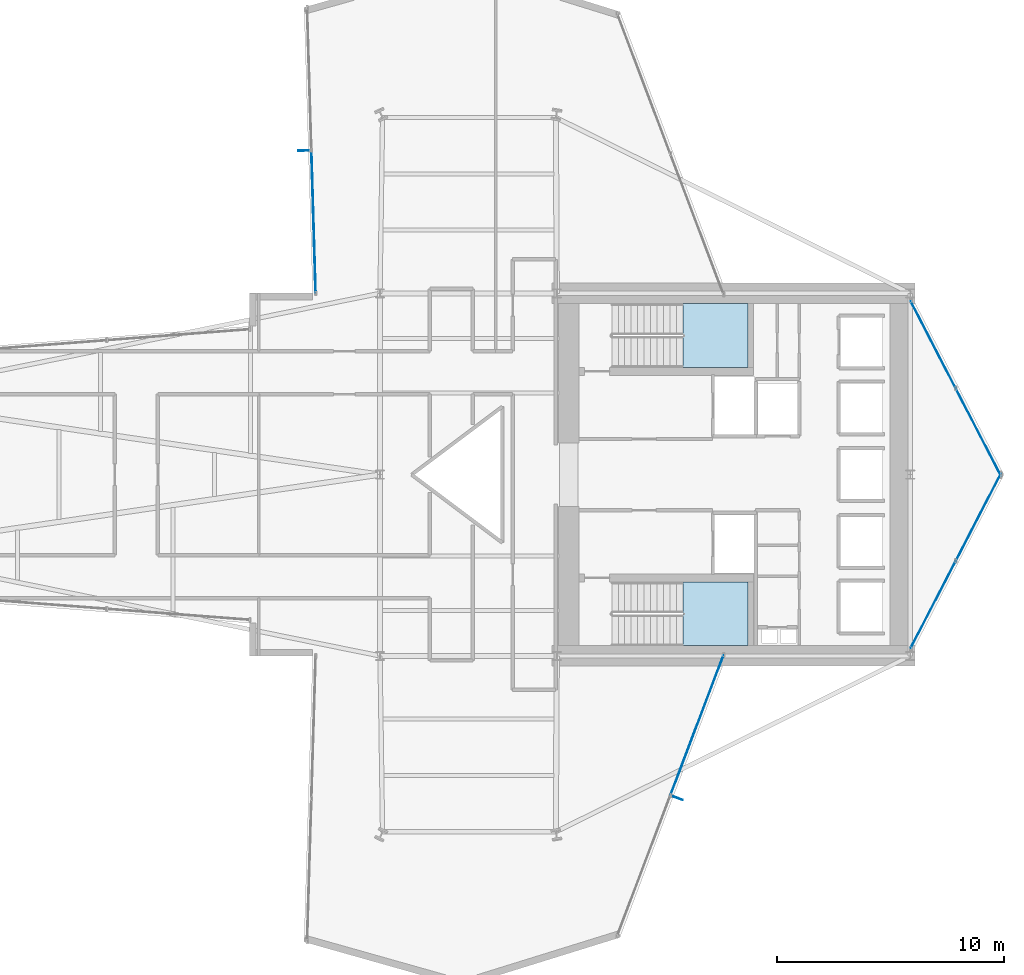
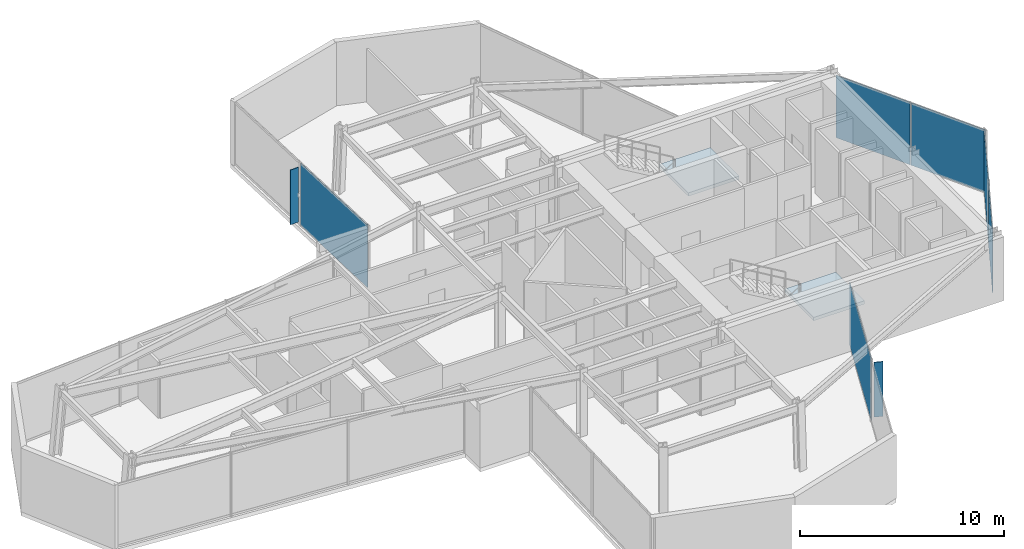
# One storey, part 24 of 28: 8 plates, 2 slabs, 6 elements without a shape of their own.
"""IFC4 building model written with IfcOpenShell, lengths in metres."""

from ifc_helpers import new_model, si_unit, direction, frame, origin, origin_2d, place, context, subcontext, project, spatial, polyline, rectangle, outline, extrude, material, layer, layer_set, type_object, element, aggregate, save


model = new_model("IFC4")

# Units and contexts
model_context = context("Model", 3, precision=1e-05, world=origin(), true_north=direction((0.0, 1.0)))
body_context = subcontext(model_context, "Body", "Model", "MODEL_VIEW")
ifc_project = project(units=[si_unit("LENGTHUNIT", "METRE"), si_unit("AREAUNIT", "SQUARE_METRE"), si_unit("VOLUMEUNIT", "CUBIC_METRE"), si_unit("PLANEANGLEUNIT", "RADIAN"), si_unit("MASSUNIT", "GRAM", prefix="KILO")], contexts=[model_context])

# Site, building, storey
site_placement = place(None, origin())
site = spatial("IfcSite", under=ifc_project, at=site_placement, CompositionType="ELEMENT")
building_placement = place(site_placement, origin())
building = spatial("IfcBuilding", under=site, at=building_placement, Name="Veymaron Broadcast Tower", CompositionType="ELEMENT")
storey_placement = place(building_placement, frame((0.0, 0.0, 45.89990234375)))
storey = spatial("IfcBuildingStorey", under=building, at=storey_placement, Name="L09", CompositionType="ELEMENT", Elevation=45.89990234375)

# Curtain wall, plates
ifc_material_1 = material(Name="Anodised aluminium AA 6063-T6 and laminated low-E dark glass", Category="aluminium")
ifc_layer_1 = layer(ifc_material_1, 0.179931640625)
ifc_layer_set_1 = layer_set([ifc_layer_1], Name="Anodised aluminium AA 6063-T6 and laminated low-E dark glass")
curtain_wall_type = type_object("IfcCurtainWallType", Name="CW-SYS-02", PredefinedType="NOTDEFINED", material=ifc_layer_set_1)
curtain_wall_1_placement = place(storey_placement, origin())
curtain_wall_1 = element("IfcCurtainWall", 1, at=curtain_wall_1_placement, inside=storey, type_object=curtain_wall_type, Name="L09 dark-glass curtain wall CW-L09-E2-1", PredefinedType="NOTDEFINED")
ifc_material_2 = material(Name="Double-silver solar-control dark glass IGU 32 mm", Category="glass")
ifc_layer_2 = layer(ifc_material_2, 0.031982421875)
ifc_layer_set_2 = layer_set([ifc_layer_2], Name="Double-silver solar-control dark glass IGU 32 mm")
plate_type_1 = type_object("IfcPlateType", Name="CW-PNL-02", PredefinedType="CURTAIN_PANEL", material=ifc_layer_set_2)
plate_1_placement = place(storey_placement, frame((55.60888671875, 18.255615234375, 0.0400390625), z_axis=(0.0, 0.0, 1.0), x_axis=(0.459331828221, 0.88826475309, 0.0)))
plate_1 = element("IfcPlate", 2, at=plate_1_placement, type_object=plate_type_1, Name="CW-L09-E2-1 unitised curtain panel 0", PredefinedType="CURTAIN_PANEL", context=body_context, shape_type="SweptSolid", body=[
    extrude(rectangle(XDim=4.299560546875, YDim=0.031982421875, at=origin_2d()), origin(), (0.0, 0.0, 1.0), 3.72998046875),
])
plate_2_placement = place(storey_placement, frame((57.611328125, 22.128173828125, 0.0400390625), z_axis=(0.0, 0.0, 1.0), x_axis=(0.459331828221, 0.88826475309, 0.0)))
plate_2 = element("IfcPlate", 3, at=plate_2_placement, type_object=plate_type_1, Name="CW-L09-E2-1 unitised curtain panel 1", PredefinedType="CURTAIN_PANEL", context=body_context, shape_type="SweptSolid", body=[
    extrude(rectangle(XDim=4.299560546875, YDim=0.031982421875, at=origin_2d()), origin(), (0.0, 0.0, 1.0), 3.72998046875),
])
aggregate(curtain_wall_1, [plate_1, plate_2])

curtain_wall_2_placement = place(storey_placement, origin())
curtain_wall_2 = element("IfcCurtainWall", 4, at=curtain_wall_2_placement, inside=storey, type_object=curtain_wall_type, Name="L09 dark-glass curtain wall CW-L09-E3-1", PredefinedType="NOTDEFINED")
plate_3_placement = place(storey_placement, frame((57.611328125, 25.871826171875, 0.0400390625), z_axis=(0.0, 0.0, 1.0), x_axis=(-0.459331828221, 0.88826475309, 0.0)))
plate_3 = element("IfcPlate", 5, at=plate_3_placement, type_object=plate_type_1, Name="CW-L09-E3-1 unitised curtain panel 0", PredefinedType="CURTAIN_PANEL", context=body_context, shape_type="SweptSolid", body=[
    extrude(rectangle(XDim=4.299560546875, YDim=0.031982421875, at=origin_2d()), origin(), (0.0, 0.0, 1.0), 3.72998046875),
])
plate_4_placement = place(storey_placement, frame((55.60888671875, 29.744384765625, 0.0400390625), z_axis=(0.0, 0.0, 1.0), x_axis=(-0.459331828221, 0.88826475309, 0.0)))
plate_4 = element("IfcPlate", 6, at=plate_4_placement, type_object=plate_type_1, Name="CW-L09-E3-1 unitised curtain panel 1", PredefinedType="CURTAIN_PANEL", context=body_context, shape_type="SweptSolid", body=[
    extrude(rectangle(XDim=4.299560546875, YDim=0.031982421875, at=origin_2d()), origin(), (0.0, 0.0, 1.0), 3.72998046875),
])
aggregate(curtain_wall_2, [plate_3, plate_4])

# Curtain wall, plate
curtain_wall_3_placement = place(storey_placement, origin())
curtain_wall_3 = element("IfcCurtainWall", 7, at=curtain_wall_3_placement, inside=storey, type_object=curtain_wall_type, Name="L09 dark-glass curtain wall CW-L09-E8-1", PredefinedType="NOTDEFINED")
plate_5_placement = place(storey_placement, frame((28.269775390625, 35.156982421875, 0.0400390625), z_axis=(0.0, 0.0, 1.0), x_axis=(0.029858145254, -0.999554146188, 0.0)))
plate_5 = element("IfcPlate", 8, at=plate_5_placement, type_object=plate_type_1, Name="CW-L09-E8-1 unitised curtain panel 1", PredefinedType="CURTAIN_PANEL", context=body_context, shape_type="SweptSolid", body=[
    extrude(rectangle(XDim=6.248291015625, YDim=0.031982421875, at=origin_2d()), origin(), (0.0, 0.0, 1.0), 3.72998046875),
])
aggregate(curtain_wall_3, [plate_5])

curtain_wall_4_placement = place(storey_placement, origin())
curtain_wall_4 = element("IfcCurtainWall", 9, at=curtain_wall_4_placement, inside=storey, type_object=curtain_wall_type, Name="L09 dark-glass curtain wall CW-L09-E20-1", PredefinedType="NOTDEFINED")
plate_6_placement = place(storey_placement, frame((45.1904296875, 12.946044921875, 0.0400390625), z_axis=(0.0, 0.0, 1.0), x_axis=(0.354225752381, 0.935159941588, 0.0)))
plate_6 = element("IfcPlate", 10, at=plate_6_placement, type_object=plate_type_1, Name="CW-L09-E20-1 unitised curtain panel 1", PredefinedType="CURTAIN_PANEL", context=body_context, shape_type="SweptSolid", body=[
    extrude(rectangle(XDim=6.577392578125, YDim=0.031982421875, at=origin_2d()), origin(), (0.0, 0.0, 1.0), 3.72998046875),
])
aggregate(curtain_wall_4, [plate_6])

# Plates
ifc_material_3 = material(Name="Dark-anodised aluminium AA 6061-T6", Category="aluminium")
ifc_layer_3 = layer(ifc_material_3, 0.034912109375)
ifc_layer_set_3 = layer_set([ifc_layer_3], Name="Dark-anodised aluminium AA 6061-T6")
plate_type_2 = type_object("IfcPlateType", Name="FIN-CHEV-01", PredefinedType="USERDEFINED", material=ifc_layer_set_3)
for number, where, z_axis, x_axis, name in (
    (11, (27.82080078125, 38.299072265625, 0.2666015625), (0.0, 0.0, 1.0), (-0.999554146188, -0.029858145254, 0.0), "CW-L09-E8-1 chevron fin 1"),
    (12, (44.346923828125, 9.716796875, 0.2666015625), (0.0, 0.0, 1.0), (0.935159941588, -0.354225752381, 0.0), "CW-L09-E20-1 chevron fin 1"),
):
    element("IfcPlate", number, at=place(storey_placement, frame(where, z_axis=z_axis, x_axis=x_axis)), inside=storey, type_object=plate_type_2, Name=name, ObjectType="FIN", PredefinedType="USERDEFINED", context=body_context, shape_type="SweptSolid", body=[
        extrude(rectangle(XDim=0.449951171875, YDim=0.034912109375, at=origin_2d()), origin(), (0.0, 0.0, 1.0), 3.276611328125),
    ])

# Stair, slab
ifc_material_4 = material(Name="Concrete C50/60", Category="concrete")
stair_type_1 = type_object("IfcStairType", Name="STAIR-CORE-1", PredefinedType="HALF_TURN_STAIR", material=ifc_material_4)
stair_1_placement = place(storey_placement, origin())
stair_1 = element("IfcStair", 13, at=stair_1_placement, inside=storey, type_object=stair_type_1, Name="L09 North protected dog-leg exit stair ST1", PredefinedType="HALF_TURN_STAIR")
ifc_layer_4 = layer(ifc_material_4, 0.199951171875)
ifc_layer_set_4 = layer_set([ifc_layer_4], Name="Concrete C50/60")
slab_type = type_object("IfcSlabType", Name="SLAB-STAIR-LDG", PredefinedType="LANDING", material=ifc_layer_set_4)
slab_1_placement = place(storey_placement, frame((0.0, 0.0, 1.8251953125)))
slab_1 = element("IfcSlab", 14, at=slab_1_placement, type_object=slab_type, Name="ST1 landing 1", PredefinedType="LANDING", context=body_context, shape_type="SweptSolid", body=[
    extrude(outline(polyline([(44.56494140625, 28.72998046875), (47.43994140625, 28.72998046875), (47.43994140625, 31.550048828125), (44.56494140625, 31.550048828125), (44.56494140625, 28.72998046875)])), origin(), (0.0, 0.0, 1.0), 0.199951171875),
])
aggregate(stair_1, [slab_1])

stair_type_2 = type_object("IfcStairType", Name="STAIR-CORE-2", PredefinedType="HALF_TURN_STAIR", material=ifc_material_4)
stair_2_placement = place(storey_placement, origin())
stair_2 = element("IfcStair", 15, at=stair_2_placement, inside=storey, type_object=stair_type_2, Name="L09 South protected dog-leg exit stair ST2", PredefinedType="HALF_TURN_STAIR")
slab_2_placement = place(storey_placement, frame((0.0, 0.0, 1.8251953125)))
slab_2 = element("IfcSlab", 16, at=slab_2_placement, type_object=slab_type, Name="ST2 landing 1", PredefinedType="LANDING", context=body_context, shape_type="SweptSolid", body=[
    extrude(outline(polyline([(44.56494140625, 16.449951171875), (47.43994140625, 16.449951171875), (47.43994140625, 19.27001953125), (44.56494140625, 19.27001953125), (44.56494140625, 16.449951171875)])), origin(), (0.0, 0.0, 1.0), 0.199951171875),
])
aggregate(stair_2, [slab_2])

save(model, "model.ifc")
